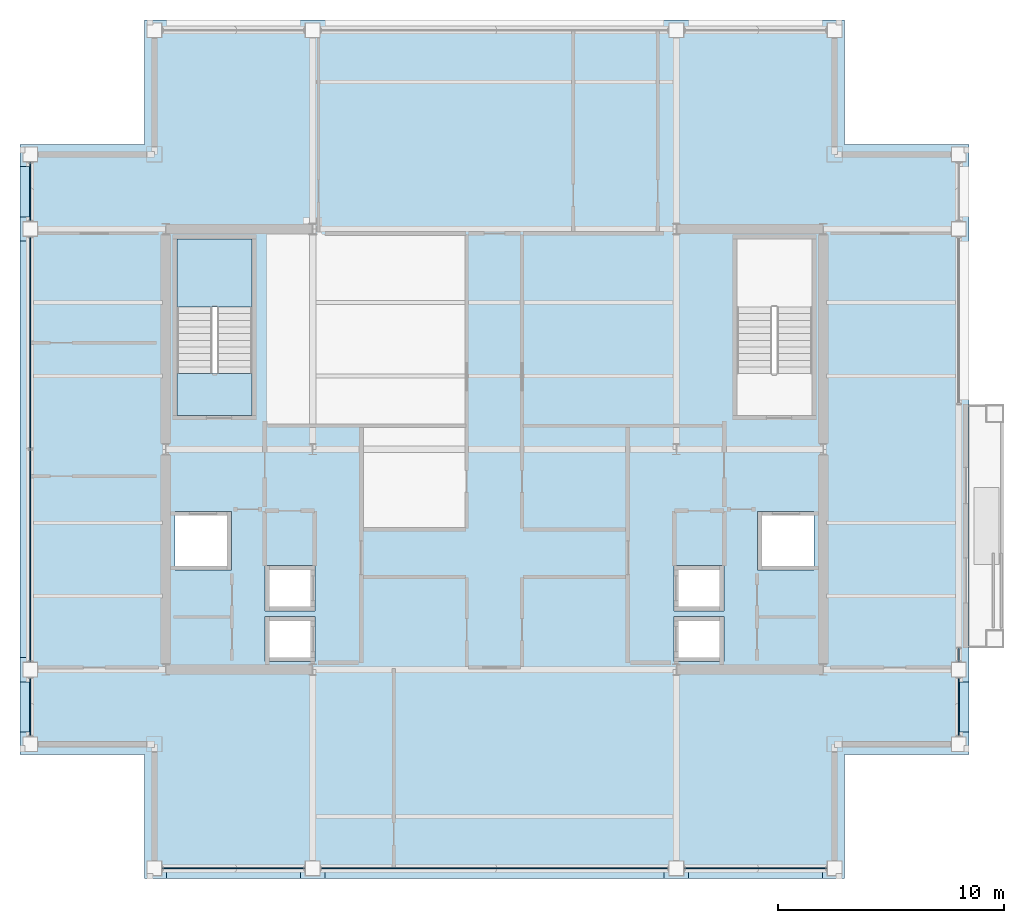
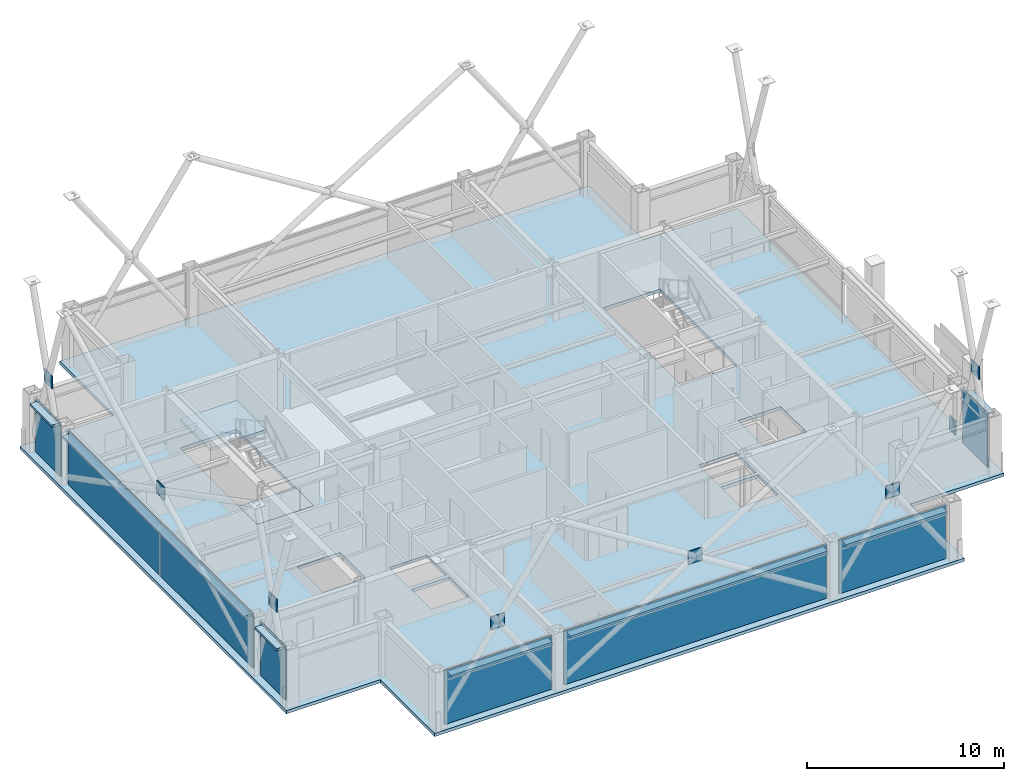
# One storey, part 26 of 33: 23 plates, 3 slabs, 1 member, 9 elements without a shape of their own.
"""IFC4 building model written with IfcOpenShell, lengths in metres."""

from ifc_helpers import new_model, si_unit, direction, frame, origin, origin_2d, place, context, subcontext, project, spatial, polyline, rectangle, hollow_rectangle, outline, extrude, material, layer, layer_set, material_profile, profile_set, type_object, element, aggregate, save


model = new_model("IFC4")

# Units and contexts
model_context = context("Model", 3, precision=1e-05, world=origin(), true_north=direction((0.0, 1.0)))
body_context = subcontext(model_context, "Body", "Model", "MODEL_VIEW")
ifc_project = project(units=[si_unit("LENGTHUNIT", "METRE"), si_unit("AREAUNIT", "SQUARE_METRE"), si_unit("VOLUMEUNIT", "CUBIC_METRE"), si_unit("PLANEANGLEUNIT", "RADIAN"), si_unit("MASSUNIT", "GRAM", prefix="KILO")], contexts=[model_context])

# Site, building, storey
site_placement = place(None, origin())
site = spatial("IfcSite", under=ifc_project, at=site_placement, CompositionType="ELEMENT")
building_placement = place(site_placement, origin())
building = spatial("IfcBuilding", under=site, at=building_placement, Name="Brelmoor Portico Tower", CompositionType="ELEMENT")
storey_placement = place(building_placement, frame((0.0, 0.0, 194.699951171875)))
storey = spatial("IfcBuildingStorey", under=building, at=storey_placement, Name="L51", CompositionType="ELEMENT", Elevation=194.699951171875)

# Curtain wall, member
ifc_material_1 = material(Name="Anodised Aluminium Alloy 6063-T6", Category="aluminium")
ifc_layer_1 = layer(ifc_material_1, 0.179931640625)
ifc_layer_set_1 = layer_set([ifc_layer_1], Name="Anodised Aluminium Alloy 6063-T6")
curtain_wall_type_1 = type_object("IfcCurtainWallType", Name="CW-TOWER-Z3", PredefinedType="NOTDEFINED", material=ifc_layer_set_1)
curtain_wall_1_placement = place(storey_placement, origin())
curtain_wall_1 = element("IfcCurtainWall", 1, at=curtain_wall_1_placement, inside=storey, type_object=curtain_wall_type_1, Name="L51 Curtain Wall CW-L51-4L-2", PredefinedType="NOTDEFINED")
ifc_material_profile = material_profile(ifc_material_1, hollow_rectangle(XDim=0.06005859375, YDim=0.125, WallThickness=0.00341796875, at=origin_2d()), Name="ALU TRANSOM 60x125")
ifc_profile_set = profile_set([ifc_material_profile], Name="Anodised Aluminium Alloy 6063-T6")
member_type = type_object("IfcMemberType", Name="MB-CW-TRAN-125", PredefinedType="USERDEFINED", material=ifc_profile_set)
member_placement = place(storey_placement, frame((20.550048828125, -9.389892578125, 0.85009765625), z_axis=(0.0, 1.0, 0.0), x_axis=(-1.0, 0.0, 0.0)))
member = element("IfcMember", 2, at=member_placement, type_object=member_type, Name="CW-L51-4L-2 Transom 1-00", ObjectType="TRANSOM", PredefinedType="USERDEFINED", context=body_context, shape_type="SweptSolid", body=[
    extrude(hollow_rectangle(XDim=0.06005859375, YDim=0.125, WallThickness=0.00341796875, at=origin_2d()), origin(), (0.0, 0.0, 1.0), 0.58984375),
])

# Curtain wall, plate
ifc_layer_2 = layer(ifc_material_1, 0.179931640625)
ifc_layer_set_2 = layer_set([ifc_layer_2], Name="Anodised Aluminium Alloy 6063-T6")
curtain_wall_type_2 = type_object("IfcCurtainWallType", Name="CW-TOWER-Z3-XB", PredefinedType="NOTDEFINED", material=ifc_layer_set_2)
curtain_wall_2_placement = place(storey_placement, origin())
curtain_wall_2 = element("IfcCurtainWall", 3, at=curtain_wall_2_placement, inside=storey, type_object=curtain_wall_type_2, Name="L51 Curtain Wall CW-L51-01-1", PredefinedType="NOTDEFINED")
ifc_material_2 = material(Name="Pale Champagne Anodised Aluminium Panel", Category="aluminium")
ifc_layer_3 = layer(ifc_material_2, 0.050048828125)
ifc_layer_set_3 = layer_set([ifc_layer_3], Name="Pale Champagne Anodised Aluminium Panel")
plate_type_1 = type_object("IfcPlateType", Name="PT-CW-SPANDREL", PredefinedType="SHEET", material=ifc_layer_set_3)
plate_1_placement = place(storey_placement, frame((-11.550048828125, -18.550048828125, 0.0), z_axis=(0.0, 0.0, 1.0), x_axis=(1.0, 0.0, 0.0)))
plate_1 = element("IfcPlate", 4, at=plate_1_placement, type_object=plate_type_1, Name="CW-L51-01-1 Spandrel Panel 00", PredefinedType="SHEET", context=body_context, shape_type="SweptSolid", body=[
    extrude(rectangle(XDim=6.25, YDim=0.050048828125, at=origin_2d()), origin(), (0.0, 0.0, 1.0), 3.33740234375),
])
aggregate(curtain_wall_2, [plate_1])

curtain_wall_3_placement = place(storey_placement, origin())
curtain_wall_3 = element("IfcCurtainWall", 5, at=curtain_wall_3_placement, inside=storey, type_object=curtain_wall_type_2, Name="L51 Curtain Wall CW-L51-01-2", PredefinedType="NOTDEFINED")
plate_2_placement = place(storey_placement, frame((0.0, -18.550048828125, 0.0), z_axis=(0.0, 0.0, 1.0), x_axis=(1.0, 0.0, 0.0)))
plate_2 = element("IfcPlate", 6, at=plate_2_placement, type_object=plate_type_1, Name="CW-L51-01-2 Spandrel Panel 00", PredefinedType="SHEET", context=body_context, shape_type="SweptSolid", body=[
    extrude(rectangle(XDim=15.35009765625, YDim=0.050048828125, at=origin_2d()), origin(), (0.0, 0.0, 1.0), 3.33740234375),
])
aggregate(curtain_wall_3, [plate_2])

curtain_wall_4_placement = place(storey_placement, origin())
curtain_wall_4 = element("IfcCurtainWall", 7, at=curtain_wall_4_placement, inside=storey, type_object=curtain_wall_type_2, Name="L51 Curtain Wall CW-L51-01-3", PredefinedType="NOTDEFINED")
plate_3_placement = place(storey_placement, frame((11.550048828125, -18.550048828125, 0.0), z_axis=(0.0, 0.0, 1.0), x_axis=(1.0, 0.0, 0.0)))
plate_3 = element("IfcPlate", 8, at=plate_3_placement, type_object=plate_type_1, Name="CW-L51-01-3 Spandrel Panel 00", PredefinedType="SHEET", context=body_context, shape_type="SweptSolid", body=[
    extrude(rectangle(XDim=6.25, YDim=0.050048828125, at=origin_2d()), origin(), (0.0, 0.0, 1.0), 3.33740234375),
])
aggregate(curtain_wall_4, [plate_3])

curtain_wall_5_placement = place(storey_placement, origin())
curtain_wall_5 = element("IfcCurtainWall", 9, at=curtain_wall_5_placement, inside=storey, type_object=curtain_wall_type_2, Name="L51 Curtain Wall CW-L51-03-1", PredefinedType="NOTDEFINED")
plate_4_placement = place(storey_placement, frame((-20.550048828125, -11.39990234375, 0.0), z_axis=(0.0, 0.0, 1.0), x_axis=(0.0, 1.0, 0.0)))
plate_4 = element("IfcPlate", 10, at=plate_4_placement, type_object=plate_type_1, Name="CW-L51-03-1 Spandrel Panel 00", PredefinedType="SHEET", context=body_context, shape_type="SweptSolid", body=[
    extrude(rectangle(XDim=2.550048828125, YDim=0.050048828125, at=origin_2d()), origin(), (0.0, 0.0, 1.0), 3.33740234375),
])
aggregate(curtain_wall_5, [plate_4])

# Curtain wall, plates
curtain_wall_6_placement = place(storey_placement, origin())
curtain_wall_6 = element("IfcCurtainWall", 11, at=curtain_wall_6_placement, inside=storey, type_object=curtain_wall_type_2, Name="L51 Curtain Wall CW-L51-03-2", PredefinedType="NOTDEFINED")
plate_5_placement = place(storey_placement, frame((-20.550048828125, -4.695068359375, 0.0), z_axis=(0.0, 0.0, 1.0), x_axis=(0.0, 1.0, 0.0)))
plate_5 = element("IfcPlate", 12, at=plate_5_placement, type_object=plate_type_1, Name="CW-L51-03-2 Spandrel Panel 00", PredefinedType="SHEET", context=body_context, shape_type="SweptSolid", body=[
    extrude(rectangle(XDim=9.360107421875, YDim=0.050048828125, at=origin_2d()), origin(), (0.0, 0.0, 1.0), 3.33740234375),
])
plate_6_placement = place(storey_placement, frame((-20.550048828125, 4.695068359375, 0.0), z_axis=(0.0, 0.0, 1.0), x_axis=(0.0, 1.0, 0.0)))
plate_6 = element("IfcPlate", 13, at=plate_6_placement, type_object=plate_type_1, Name="CW-L51-03-2 Spandrel Panel 01", PredefinedType="SHEET", context=body_context, shape_type="SweptSolid", body=[
    extrude(rectangle(XDim=9.360107421875, YDim=0.050048828125, at=origin_2d()), origin(), (0.0, 0.0, 1.0), 3.33740234375),
])
aggregate(curtain_wall_6, [plate_5, plate_6])

# Curtain wall, plate
curtain_wall_7_placement = place(storey_placement, origin())
curtain_wall_7 = element("IfcCurtainWall", 14, at=curtain_wall_7_placement, inside=storey, type_object=curtain_wall_type_2, Name="L51 Curtain Wall CW-L51-03-3", PredefinedType="NOTDEFINED")
plate_7_placement = place(storey_placement, frame((-20.550048828125, 11.39990234375, 0.0), z_axis=(0.0, 0.0, 1.0), x_axis=(0.0, 1.0, 0.0)))
plate_7 = element("IfcPlate", 15, at=plate_7_placement, type_object=plate_type_1, Name="CW-L51-03-3 Spandrel Panel 00", PredefinedType="SHEET", context=body_context, shape_type="SweptSolid", body=[
    extrude(rectangle(XDim=2.550048828125, YDim=0.050048828125, at=origin_2d()), origin(), (0.0, 0.0, 1.0), 3.33740234375),
])
aggregate(curtain_wall_7, [plate_7])

curtain_wall_8_placement = place(storey_placement, origin())
curtain_wall_8 = element("IfcCurtainWall", 16, at=curtain_wall_8_placement, inside=storey, type_object=curtain_wall_type_2, Name="L51 Curtain Wall CW-L51-4L-1", PredefinedType="NOTDEFINED")
plate_8_placement = place(storey_placement, frame((20.550048828125, -11.39990234375, 0.0), z_axis=(0.0, 0.0, 1.0), x_axis=(0.0, 1.0, 0.0)))
plate_8 = element("IfcPlate", 17, at=plate_8_placement, type_object=plate_type_1, Name="CW-L51-4L-1 Spandrel Panel 00", PredefinedType="SHEET", context=body_context, shape_type="SweptSolid", body=[
    extrude(rectangle(XDim=2.550048828125, YDim=0.050048828125, at=origin_2d()), origin(), (0.0, 0.0, 1.0), 3.33740234375),
])
aggregate(curtain_wall_8, [plate_8])

# Plate
plate_9_placement = place(storey_placement, frame((20.550048828125, -9.094970703125, 0.0), z_axis=(0.0, 0.0, 1.0), x_axis=(0.0, 1.0, 0.0)))
plate_9 = element("IfcPlate", 18, at=plate_9_placement, type_object=plate_type_1, Name="CW-L51-4L-2 Spandrel Panel 00", PredefinedType="SHEET", context=body_context, shape_type="SweptSolid", body=[
    extrude(rectangle(XDim=0.56005859375, YDim=0.050048828125, at=origin_2d()), origin(), (0.0, 0.0, 1.0), 0.85009765625),
])

aggregate(curtain_wall_1, [member, plate_9])

# Plates
ifc_material_3 = material(Name="Steel Q355B", Category="steel")
ifc_layer_4 = layer(ifc_material_3, 0.050048828125)
ifc_layer_set_4 = layer_set([ifc_layer_4], Name="Steel Q355B")
plate_type_2 = type_object("IfcPlateType", Name="PT-GUSSET-800", PredefinedType="USERDEFINED", material=ifc_layer_set_4)
for number, where, z_axis, x_axis, name in (
    (19, (-11.550048828125, -18.550048828125, 4.89990234375), (0.0, 0.0, 1.0), (1.0, 0.0, 0.0), "L51 Perimeter Mega-Brace Gusset 116"),
    (20, (0.0, -18.550048828125, 4.89990234375), (0.0, 0.0, 1.0), (1.0, 0.0, 0.0), "L51 Perimeter Mega-Brace Gusset 117"),
    (21, (11.550048828125, -18.550048828125, 4.89990234375), (0.0, 0.0, 1.0), (1.0, 0.0, 0.0), "L51 Perimeter Mega-Brace Gusset 118"),
):
    element("IfcPlate", number, at=place(storey_placement, frame(where, z_axis=z_axis, x_axis=x_axis)), inside=storey, type_object=plate_type_2, Name=name, ObjectType="GUSSET PLATE", PredefinedType="USERDEFINED", context=body_context, shape_type="SweptSolid", body=[
        extrude(rectangle(XDim=0.800048828125, YDim=0.050048828125, at=origin_2d()), origin(), (0.0, 0.0, 1.0), 0.800048828125),
    ])
for number, where, z_axis, x_axis, name in (
    (22, (-20.550048828125, -11.39990234375, 4.89990234375), (0.0, 0.0, 1.0), (1.0, 0.0, 0.0), "L51 Perimeter Mega-Brace Gusset 122"),
    (23, (-20.550048828125, 0.0, 4.89990234375), (0.0, 0.0, 1.0), (1.0, 0.0, 0.0), "L51 Perimeter Mega-Brace Gusset 123"),
    (24, (-20.550048828125, 11.39990234375, 4.89990234375), (0.0, 0.0, 1.0), (1.0, 0.0, 0.0), "L51 Perimeter Mega-Brace Gusset 124"),
    (25, (20.550048828125, -11.39990234375, 4.89990234375), (0.0, 0.0, 1.0), (1.0, 0.0, 0.0), "L51 Perimeter Mega-Brace Gusset 125"),
):
    element("IfcPlate", number, at=place(storey_placement, frame(where, z_axis=z_axis, x_axis=x_axis)), inside=storey, type_object=plate_type_2, Name=name, ObjectType="GUSSET PLATE", PredefinedType="USERDEFINED", context=body_context, shape_type="SweptSolid", body=[
        extrude(rectangle(XDim=0.050048828125, YDim=0.800048828125, at=origin_2d()), origin(), (0.0, 0.0, 1.0), 0.800048828125),
    ])
ifc_material_4 = material(Name="Pale Champagne Perforated Aluminium Solar Screen", Category="aluminium")
ifc_layer_5 = layer(ifc_material_4, 0.054931640625)
ifc_layer_set_5 = layer_set([ifc_layer_5], Name="Pale Champagne Perforated Aluminium Solar Screen")
plate_type_3 = type_object("IfcPlateType", Name="PT-SOLAR-LOUVRE", PredefinedType="SHEET", material=ifc_layer_set_5)
plate_10_placement = place(storey_placement, frame((-11.550048828125, -18.760009765625, 3.09033203125), z_axis=(0.0, 0.0, 1.0), x_axis=(1.0, 0.0, 0.0)))
element("IfcPlate", 26, at=plate_10_placement, inside=storey, type_object=plate_type_3, Name="CW-L51-01-1 Caribbean Brise-Soleil Solar Screen", PredefinedType="SHEET", context=body_context, shape_type="SweptSolid", body=[
    extrude(rectangle(XDim=5.919921875, YDim=0.4599609375, at=origin_2d()), origin(), (0.0, 0.0, 1.0), 0.139892578125),
])
plate_11_placement = place(storey_placement, frame((0.0, -18.760009765625, 3.09033203125), z_axis=(0.0, 0.0, 1.0), x_axis=(1.0, 0.0, 0.0)))
element("IfcPlate", 27, at=plate_11_placement, inside=storey, type_object=plate_type_3, Name="CW-L51-01-2 Caribbean Brise-Soleil Solar Screen", PredefinedType="SHEET", context=body_context, shape_type="SweptSolid", body=[
    extrude(rectangle(XDim=15.02001953125, YDim=0.4599609375, at=origin_2d()), origin(), (0.0, 0.0, 1.0), 0.139892578125),
])
plate_12_placement = place(storey_placement, frame((11.550048828125, -18.760009765625, 3.09033203125), z_axis=(0.0, 0.0, 1.0), x_axis=(1.0, 0.0, 0.0)))
element("IfcPlate", 28, at=plate_12_placement, inside=storey, type_object=plate_type_3, Name="CW-L51-01-3 Caribbean Brise-Soleil Solar Screen", PredefinedType="SHEET", context=body_context, shape_type="SweptSolid", body=[
    extrude(rectangle(XDim=5.919921875, YDim=0.4599609375, at=origin_2d()), origin(), (0.0, 0.0, 1.0), 0.139892578125),
])
plate_13_placement = place(storey_placement, frame((-20.760009765625, -11.39990234375, 3.09033203125), z_axis=(0.0, 0.0, 1.0), x_axis=(0.0, 1.0, 0.0)))
element("IfcPlate", 29, at=plate_13_placement, inside=storey, type_object=plate_type_3, Name="CW-L51-03-1 Caribbean Brise-Soleil Solar Screen", PredefinedType="SHEET", context=body_context, shape_type="SweptSolid", body=[
    extrude(rectangle(XDim=2.219970703125, YDim=0.4599609375, at=origin_2d()), origin(), (0.0, 0.0, 1.0), 0.139892578125),
])
plate_14_placement = place(storey_placement, frame((-20.760009765625, 0.0, 3.09033203125), z_axis=(0.0, 0.0, 1.0), x_axis=(0.0, 1.0, 0.0)))
element("IfcPlate", 30, at=plate_14_placement, inside=storey, type_object=plate_type_3, Name="CW-L51-03-2 Caribbean Brise-Soleil Solar Screen", PredefinedType="SHEET", context=body_context, shape_type="SweptSolid", body=[
    extrude(rectangle(XDim=18.419921875, YDim=0.4599609375, at=origin_2d()), origin(), (0.0, 0.0, 1.0), 0.139892578125),
])
for number, where, z_axis, x_axis, name in (
    (31, (-20.760009765625, 11.39990234375, 3.09033203125), (0.0, 0.0, 1.0), (0.0, 1.0, 0.0), "CW-L51-03-3 Caribbean Brise-Soleil Solar Screen"),
    (32, (20.760009765625, -11.39990234375, 3.09033203125), (0.0, 0.0, 1.0), (0.0, 1.0, 0.0), "CW-L51-4L-1 Caribbean Brise-Soleil Solar Screen"),
):
    element("IfcPlate", number, at=place(storey_placement, frame(where, z_axis=z_axis, x_axis=x_axis)), inside=storey, type_object=plate_type_3, Name=name, PredefinedType="SHEET", context=body_context, shape_type="SweptSolid", body=[
        extrude(rectangle(XDim=2.219970703125, YDim=0.4599609375, at=origin_2d()), origin(), (0.0, 0.0, 1.0), 0.139892578125),
    ])

# Slab
ifc_material_5 = material(Name="Concrete C40", Category="concrete")
ifc_layer_6 = layer(ifc_material_5, 0.199951171875)
ifc_layer_set_6 = layer_set([ifc_layer_6], Name="Concrete C40")
slab_type_1 = type_object("IfcSlabType", Name="SL-FLOOR-200", PredefinedType="FLOOR", material=ifc_layer_set_6)
slab_1_placement = place(storey_placement, frame((0.0, 0.0, -0.199951171875)))
element("IfcSlab", 33, at=slab_1_placement, inside=storey, type_object=slab_type_1, Name="L51 Main Structural Floor Slab", PredefinedType="FLOOR", context=body_context, shape_type="SweptSolid", body=[
    extrude(outline(polyline([(-15.5, -19.0), (15.5, -19.0), (15.5, -13.5), (21.0, -13.5), (21.0, 13.5), (15.5, 13.5), (15.5, 19.0), (-15.5, 19.0), (-15.5, 13.5), (-21.0, 13.5), (-21.0, -13.5), (-15.5, -13.5), (-15.5, -19.0)]), holes=[polyline([(-10.72998046875, 1.5), (-10.72998046875, 9.300048828125), (-14.050048828125, 9.300048828125), (-14.050048828125, 1.5), (-10.72998046875, 1.5)]), polyline([(14.050048828125, 1.5), (14.050048828125, 9.300048828125), (10.72998046875, 9.300048828125), (10.72998046875, 1.5), (14.050048828125, 1.5)]), polyline([(-10.14990234375, -9.39990234375), (-7.949951171875, -9.39990234375), (-7.949951171875, -7.39990234375), (-10.14990234375, -7.39990234375), (-10.14990234375, -9.39990234375)]), polyline([(-10.14990234375, -7.14990234375), (-7.949951171875, -7.14990234375), (-7.949951171875, -5.14990234375), (-10.14990234375, -5.14990234375), (-10.14990234375, -7.14990234375)]), polyline([(7.949951171875, -9.39990234375), (10.14990234375, -9.39990234375), (10.14990234375, -7.39990234375), (7.949951171875, -7.39990234375), (7.949951171875, -9.39990234375)]), polyline([(7.949951171875, -7.14990234375), (10.14990234375, -7.14990234375), (10.14990234375, -5.14990234375), (7.949951171875, -5.14990234375), (7.949951171875, -7.14990234375)]), polyline([(-14.14990234375, -5.35009765625), (-11.64990234375, -5.35009765625), (-11.64990234375, -2.75), (-14.14990234375, -2.75), (-14.14990234375, -5.35009765625)]), polyline([(11.64990234375, -5.35009765625), (14.14990234375, -5.35009765625), (14.14990234375, -2.75), (11.64990234375, -2.75), (11.64990234375, -5.35009765625)])]), origin(), (0.0, 0.0, 1.0), 0.199951171875),
])

# Stair, slab
stair_type = type_object("IfcStairType", Name="ST-CORE-W", PredefinedType="HALF_TURN_STAIR", material=ifc_material_5)
stair_placement = place(storey_placement, origin())
stair = element("IfcStair", 34, at=stair_placement, inside=storey, type_object=stair_type, Name="L51 Protected Core Exit Stair ST-W", PredefinedType="HALF_TURN_STAIR")
ifc_layer_7 = layer(ifc_material_5, 0.179931640625)
ifc_layer_set_7 = layer_set([ifc_layer_7], Name="Concrete C40")
slab_type_2 = type_object("IfcSlabType", Name="SL-LANDING-180", PredefinedType="LANDING", material=ifc_layer_set_7)
slab_2_placement = place(storey_placement, frame((0.0, 0.0, 1.60009765625)))
slab_2 = element("IfcSlab", 35, at=slab_2_placement, type_object=slab_type_2, Name="ST-W landing 1", PredefinedType="LANDING", context=body_context, shape_type="SweptSolid", body=[
    extrude(outline(polyline([(-10.72998046875, 6.300048828125), (-10.72998046875, 9.300048828125), (-14.050048828125, 9.300048828125), (-14.050048828125, 6.300048828125), (-10.72998046875, 6.300048828125)])), origin(), (0.0, 0.0, 1.0), 0.199951171875),
])
aggregate(stair, [slab_2])

# Slab
ifc_layer_8 = layer(ifc_material_5, 0.199951171875)
ifc_layer_set_8 = layer_set([ifc_layer_8], Name="Concrete C40")
slab_type_3 = type_object("IfcSlabType", Name="SL-STAIR-FL200", PredefinedType="LANDING", material=ifc_layer_set_8)
slab_3_placement = place(storey_placement, frame((0.0, 0.0, -0.199951171875)))
element("IfcSlab", 36, at=slab_3_placement, inside=storey, type_object=slab_type_3, Name="L51 ST-W Structural Floor Landing Slab", PredefinedType="LANDING", context=body_context, shape_type="SweptSolid", body=[
    extrude(outline(polyline([(-10.72998046875, 1.5), (-10.72998046875, 3.35009765625), (-14.050048828125, 3.35009765625), (-14.050048828125, 1.5), (-10.72998046875, 1.5)])), origin(), (0.0, 0.0, 1.0), 0.199951171875),
])

save(model, "model.ifc")
